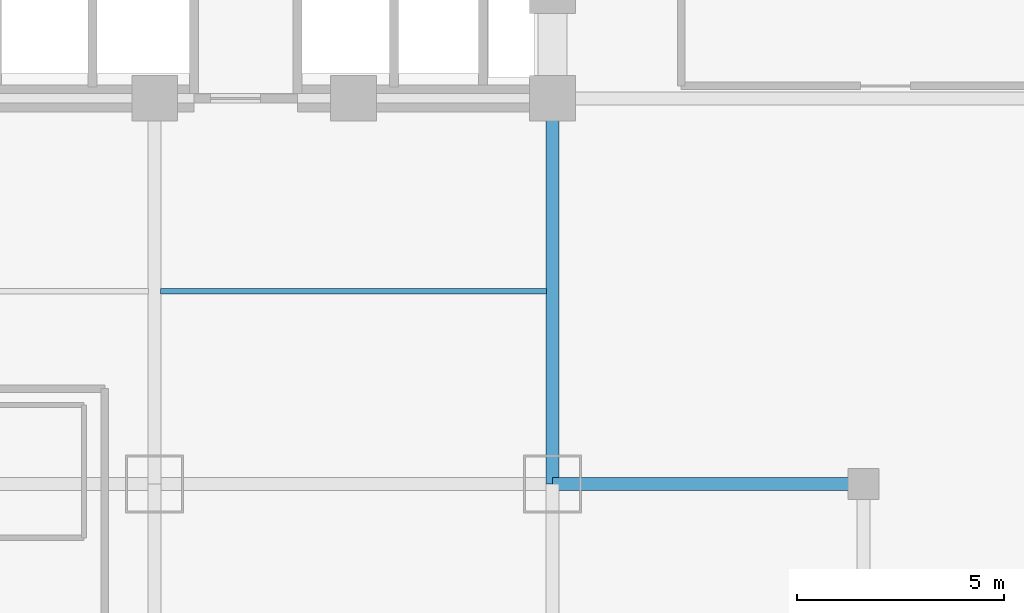
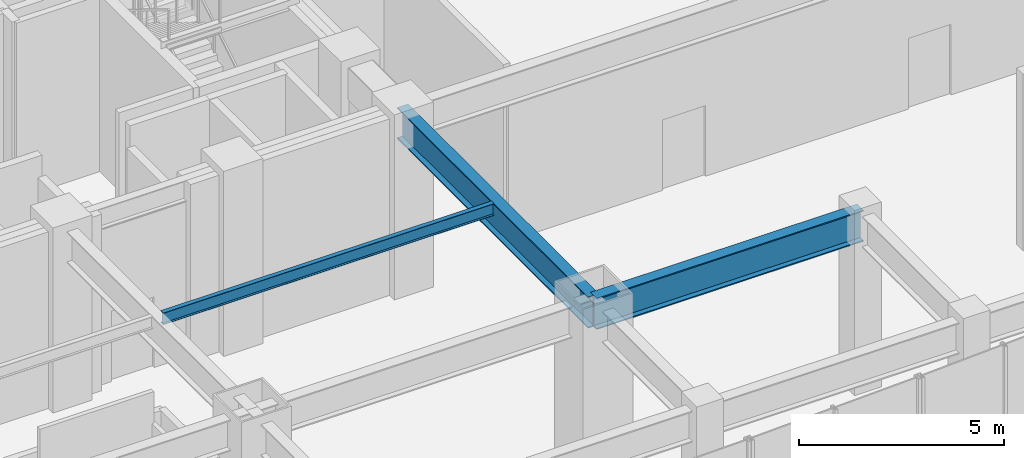
# One storey, part 8 of 24: 3 beams.
"""IFC4 building model written with IfcOpenShell, lengths in metres."""

import ifcopenshell
import ifcopenshell.guid

model = None  # the IFC model being written
_history = None  # IfcOwnerHistory: only IFC2X3 demands one
_inside = {}  # id of a spatial element -> (the spatial element, [elements in it])
_under = {}  # id of a project, library or spatial element -> (it, [spatial elements below it])
_declared = {}  # id of a project -> (the project, [libraries it declares])
_typed = {}  # id of a type object -> (the type object, [elements of that type])
_made_of = {}  # id of a material, layer set ... -> (it, [elements and type objects made of it])


def new_model(schema):
    """Start an empty IFC model of exactly this schema.

    Asked for "IFC4X3", IfcOpenShell would pick the latest addendum, in which some entities
    have other attributes; the version numbers below select the first issue.
    IFC2X3 requires an IfcOwnerHistory on every rooted entity: one is made here for all.
    """
    global model, _history
    if schema == "IFC4X3":
        model = ifcopenshell.file(schema_version=(4, 3, 0, 0))
    else:
        model = ifcopenshell.file(schema=schema)
    _inside.clear()
    _under.clear()
    _declared.clear()
    _typed.clear()
    _made_of.clear()
    _history = None
    if model.schema == "IFC2X3":
        org = make("IfcOrganization", Name="unknown")
        user = make(
            "IfcPersonAndOrganization",
            ThePerson=make("IfcPerson", FamilyName="unknown"),
            TheOrganization=org,
        )
        app = make(
            "IfcApplication",
            ApplicationDeveloper=org,
            Version="unknown",
            ApplicationFullName="unknown",
            ApplicationIdentifier="unknown",
        )
        _history = make(
            "IfcOwnerHistory",
            OwningUser=user,
            OwningApplication=app,
            ChangeAction="ADDED",
            CreationDate=0,
        )
    return model


def make(cls, **values):
    """One entity of the class cls with the attributes given. An attribute that is None is left unset."""
    return model.create_entity(
        cls, **{name: value for name, value in values.items() if value is not None}
    )


def rooted(cls, **values):
    """An entity with a GlobalId (a new one), such as an element, a storey or a relation."""
    return make(cls, GlobalId=ifcopenshell.guid.new(), OwnerHistory=_history, **values)


def si_unit(unit_type, name, prefix=None):
    """IfcSIUnit, for example si_unit("LENGTHUNIT", "METRE", prefix="MILLI")."""
    return make("IfcSIUnit", UnitType=unit_type, Prefix=prefix, Name=name)


def assignment(units):
    """IfcUnitAssignment: the units of a project."""
    return None if units is None else make("IfcUnitAssignment", Units=units)


def point(xyz):
    """IfcCartesianPoint."""
    return None if xyz is None else make("IfcCartesianPoint", Coordinates=xyz)


def direction(xyz):
    """IfcDirection."""
    return None if xyz is None else make("IfcDirection", DirectionRatios=xyz)


def frame(location, z_axis=None, x_axis=None):
    """IfcAxis2Placement3D, a coordinate frame: its origin and axes. An axis left out is left unset."""
    return make(
        "IfcAxis2Placement3D",
        Location=point(location),
        Axis=direction(z_axis),
        RefDirection=direction(x_axis),
    )


def frame_2d(location, x_axis=None):
    """IfcAxis2Placement2D, a coordinate frame in the plane: its origin and x axis."""
    return make(
        "IfcAxis2Placement2D", Location=point(location), RefDirection=direction(x_axis)
    )


def origin():
    """The frame at (0, 0, 0) with its axes left unset."""
    return frame((0.0, 0.0, 0.0))


def origin_2d():
    """The frame at (0, 0) in the plane with its x axis left unset."""
    return frame_2d((0.0, 0.0))


def place(relative_to, where):
    """IfcLocalPlacement: puts the frame where relative to a parent placement (None: the world)."""
    return make(
        "IfcLocalPlacement", PlacementRelTo=relative_to, RelativePlacement=where
    )


def context(
    kind, dimensions, precision=None, world=None, true_north=None, identifier=None
):
    """IfcGeometricRepresentationContext, for example the 3D "Model" context."""
    return make(
        "IfcGeometricRepresentationContext",
        ContextIdentifier=identifier,
        ContextType=kind,
        CoordinateSpaceDimension=dimensions,
        Precision=precision,
        WorldCoordinateSystem=world,
        TrueNorth=true_north,
    )


def subcontext(parent, identifier, kind, view, scale=None):
    """IfcGeometricRepresentationSubContext, for example "Body" below "Model"."""
    return make(
        "IfcGeometricRepresentationSubContext",
        ContextIdentifier=identifier,
        ContextType=kind,
        ParentContext=parent,
        TargetScale=scale,
        TargetView=view,
    )


def project(units=None, contexts=None):
    """IfcProject with its units and contexts."""
    return rooted(
        "IfcProject",
        Name="project",
        RepresentationContexts=contexts,
        UnitsInContext=assignment(units),
    )


def spatial(cls, under=None, at=None, **own):
    """A site, building, storey or space (cls), placed at a placement, below another one or the project."""
    s = rooted(cls, ObjectPlacement=at, **own)
    if under is not None:
        _under.setdefault(under.id(), (under, []))[1].append(s)
    return s


def profile(cls, at=None, kind="AREA", **sizes):
    """A parametric profile (cls). Its sizes go by their IFC names, for example OverallWidth=200.0."""
    return make(cls, ProfileType=kind, Position=at, **sizes)


def i_section(**sizes):
    """IfcIShapeProfileDef."""
    return profile("IfcIShapeProfileDef", **sizes)


def extrude(swept, where, along, depth):
    """IfcExtrudedAreaSolid: the profile swept, set in the frame where, extruded along a direction by depth."""
    return make(
        "IfcExtrudedAreaSolid",
        SweptArea=swept,
        Position=where,
        ExtrudedDirection=direction(along),
        Depth=depth,
    )


def shape(context_of_items, identifier, shape_type, items):
    """IfcShapeRepresentation: the items that make up one representation, for example the "Body"."""
    return make(
        "IfcShapeRepresentation",
        ContextOfItems=context_of_items,
        RepresentationIdentifier=identifier,
        RepresentationType=shape_type,
        Items=items,
    )


def material(Name=None, Category=None):
    """IfcMaterial."""
    return make("IfcMaterial", Name=Name, Category=Category)


def material_profile(
    of_material, cross_section, Name=None, Category=None, Priority=None
):
    """IfcMaterialProfile: a cross section and its material."""
    return make(
        "IfcMaterialProfile",
        Name=Name,
        Material=of_material,
        Profile=cross_section,
        Priority=Priority,
        Category=Category,
    )


def profile_set(profiles, Name=None, composite=None):
    """IfcMaterialProfileSet."""
    return make(
        "IfcMaterialProfileSet",
        Name=Name,
        MaterialProfiles=profiles,
        CompositeProfile=composite,
    )


def made_of(thing, what):
    """Note that an element or type object is made of a material, layer set ...; save() writes the relation."""
    if what is not None:
        _made_of.setdefault(what.id(), (what, []))[1].append(thing)
    return thing


def type_object(cls, material=None, **own):
    """A type object (cls), such as IfcWallType, which elements share."""
    return made_of(rooted(cls, **own), material)


def element(
    cls,
    number,
    at=None,
    inside=None,
    cuts=None,
    type_object=None,
    material=None,
    context=None,
    identifier="Body",
    shape_type=None,
    held_by="IfcProductDefinitionShape",
    body=None,
    shapes=None,
    **own,
):
    """One element of the class cls, such as IfcWall. Its Tag is "e" and its number.

    at: its placement. inside: the storey or other place that contains it. cuts: it is an
    opening in that element (IfcRelVoidsElement). A single representation is given by context,
    identifier, shape_type and body (its items); several are given by shapes. held_by: the class
    of the entity that holds the representations. save() writes the other relations.
    """
    e = rooted(cls, Tag="e%d" % number, ObjectPlacement=at, **own)
    if body is not None:
        shapes = [shape(context, identifier, shape_type, body)]
    if shapes is not None:
        e.Representation = make(held_by, Representations=shapes)
    if inside is not None:
        _inside.setdefault(inside.id(), (inside, []))[1].append(e)
    if cuts is not None:
        rooted(
            "IfcRelVoidsElement", RelatingBuildingElement=cuts, RelatedOpeningElement=e
        )
    if type_object is not None:
        _typed.setdefault(type_object.id(), (type_object, []))[1].append(e)
    return made_of(e, material)


def aggregate(whole, parts):
    """IfcRelAggregates: a whole, such as a stair, and the parts it consists of."""
    return rooted("IfcRelAggregates", RelatingObject=whole, RelatedObjects=parts)


def save(model, path):
    """Write the relations noted so far, then the file.

    IfcRelAggregates (storeys below a building ...), IfcRelContainedInSpatialStructure (elements
    in a storey), IfcRelDefinesByType, IfcRelAssociatesMaterial and IfcRelDeclares: one each for
    every whole, place, type object, material and project.
    """
    for whole, parts in _under.values():
        aggregate(whole, parts)
    for where, things in _inside.values():
        rooted(
            "IfcRelContainedInSpatialStructure",
            RelatedElements=things,
            RelatingStructure=where,
        )
    for kind, things in _typed.values():
        rooted("IfcRelDefinesByType", RelatedObjects=things, RelatingType=kind)
    for what, things in _made_of.values():
        rooted("IfcRelAssociatesMaterial", RelatedObjects=things, RelatingMaterial=what)
    for by, libraries in _declared.values():
        rooted("IfcRelDeclares", RelatingContext=by, RelatedDefinitions=libraries)
    model.write(path)


model = new_model("IFC4")

# Units and contexts
model_context = context("Model", 3, precision=1e-05, world=origin(), true_north=direction((0.0, 1.0)))
body_context = subcontext(model_context, "Body", "Model", "MODEL_VIEW")
ifc_project = project(units=[si_unit("LENGTHUNIT", "METRE"), si_unit("AREAUNIT", "SQUARE_METRE"), si_unit("VOLUMEUNIT", "CUBIC_METRE"), si_unit("PLANEANGLEUNIT", "RADIAN"), si_unit("MASSUNIT", "GRAM", prefix="KILO")], contexts=[model_context])

# Site, building, storey
site_placement = place(None, origin())
site = spatial("IfcSite", under=ifc_project, at=site_placement, CompositionType="ELEMENT")
building_placement = place(site_placement, origin())
building = spatial("IfcBuilding", under=site, at=building_placement, Name="Vantalir Tower", CompositionType="ELEMENT")
storey_placement = place(building_placement, frame((0.0, 0.0, 16.0)))
storey = spatial("IfcBuildingStorey", under=building, at=storey_placement, Name="L03", CompositionType="ELEMENT", Elevation=16.0)

# Beams
ifc_material = material(Name="Steel S355", Category="steel")
ifc_material_profile_1 = material_profile(ifc_material, i_section(OverallWidth=0.1259765625, OverallDepth=0.35302734375, WebThickness=0.006591796875, FlangeThickness=0.0107421875, at=origin_2d()), Name="Steel S355")
ifc_profile_set_1 = profile_set([ifc_material_profile_1], Name="Steel S355")
beam_type_1 = type_object("IfcBeamType", Name="BM-JS-356x127", PredefinedType="JOIST", material=ifc_profile_set_1)
beam_1_placement = place(storey_placement, frame((31.64501953125, 13.14990234375, 5.073974609375), z_axis=(1.0, 0.0, 0.0), x_axis=(0.0, 1.0, 0.0)))
element("IfcBeam", 1, at=beam_1_placement, inside=storey, type_object=beam_type_1, Name="L03 Secondary Composite Joist 05", PredefinedType="JOIST", context=body_context, shape_type="SweptSolid", body=[
    extrude(i_section(OverallWidth=0.1259765625, OverallDepth=0.35302734375, WebThickness=0.006591796875, FlangeThickness=0.0107421875, at=origin_2d()), origin(), (0.0, 0.0, 1.0), 9.31005859375),
])
ifc_material_profile_2 = material_profile(ifc_material, i_section(OverallWidth=0.30810546875, OverallDepth=0.927001953125, WebThickness=0.01953125, FlangeThickness=0.031982421875, at=origin_2d()), Name="Steel S355")
ifc_profile_set_2 = profile_set([ifc_material_profile_2], Name="Steel S355")
beam_type_2 = type_object("IfcBeamType", Name="BM-PG-914x305", PredefinedType="USERDEFINED", material=ifc_profile_set_2)
beam_2_placement = place(storey_placement, frame((41.10009765625, 8.5, 4.785888671875), z_axis=(1.0, 0.0, 0.0), x_axis=(0.0, 1.0, 0.0)))
element("IfcBeam", 2, at=beam_2_placement, inside=storey, type_object=beam_type_2, Name="L03 Podium E-W Girder 11", ObjectType="GIRDER", PredefinedType="USERDEFINED", context=body_context, shape_type="SweptSolid", body=[
    extrude(i_section(OverallWidth=0.30810546875, OverallDepth=0.927001953125, WebThickness=0.01953125, FlangeThickness=0.031982421875, at=origin_2d()), origin(), (0.0, 0.0, 1.0), 7.5),
])
beam_3_placement = place(storey_placement, frame((41.10009765625, 8.5, 4.785888671875), z_axis=(0.0, 1.0, 0.0), x_axis=(-1.0, 0.0, 0.0)))
element("IfcBeam", 3, at=beam_3_placement, inside=storey, type_object=beam_type_2, Name="L03 Podium N-S Girder 64", ObjectType="GIRDER", PredefinedType="USERDEFINED", context=body_context, shape_type="SweptSolid", body=[
    extrude(i_section(OverallWidth=0.30810546875, OverallDepth=0.927001953125, WebThickness=0.01953125, FlangeThickness=0.031982421875, at=origin_2d()), origin(), (0.0, 0.0, 1.0), 9.300048828125),
])

save(model, "model.ifc")
